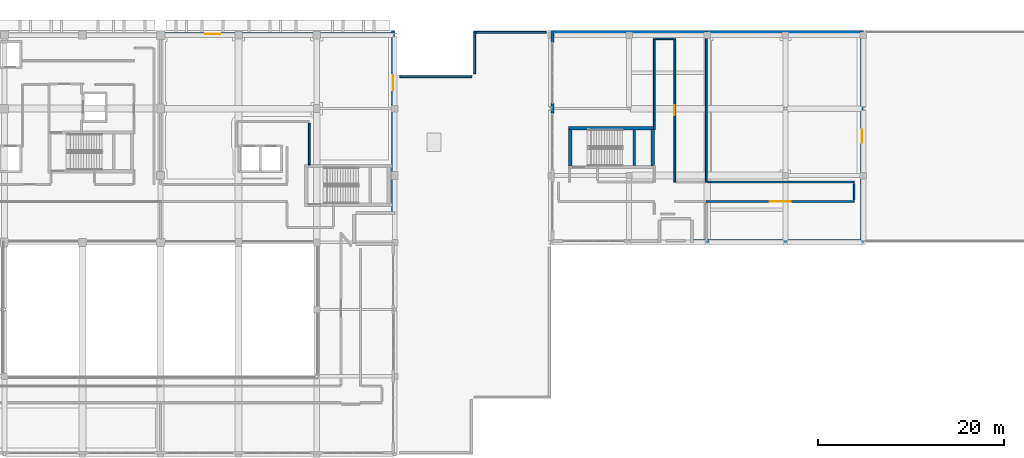
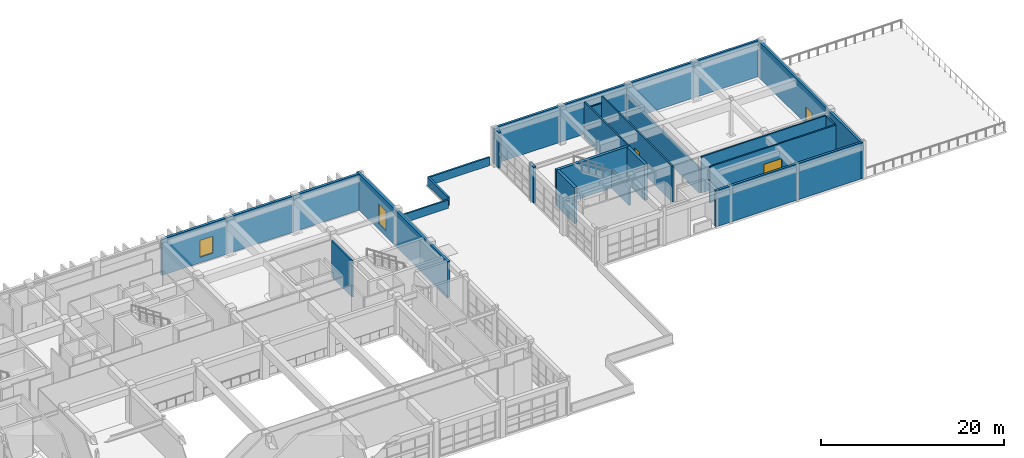
# One storey, part 66 of 78: 22 walls, 3 doors, 2 windows, 5 openings.
"""IFC4 building model written with IfcOpenShell, lengths in metres."""

from ifc_helpers import new_model, si_unit, direction, frame, frame_2d, origin, place, context, subcontext, project, spatial, rectangle, extrude, material, layer, layer_set, type_object, element, fill, save


model = new_model("IFC4")

# Units and contexts
model_context = context("Model", 3, precision=1e-05, world=origin(), true_north=direction((0.0, 1.0)))
body_context = subcontext(model_context, "Body", "Model", "MODEL_VIEW")
ifc_project = project(units=[si_unit("LENGTHUNIT", "METRE"), si_unit("AREAUNIT", "SQUARE_METRE"), si_unit("VOLUMEUNIT", "CUBIC_METRE"), si_unit("PLANEANGLEUNIT", "RADIAN"), si_unit("MASSUNIT", "GRAM", prefix="KILO")], contexts=[model_context])

# Site, building, storey
site_placement = place(None, origin())
site = spatial("IfcSite", under=ifc_project, at=site_placement, CompositionType="ELEMENT")
building_placement = place(site_placement, origin())
building = spatial("IfcBuilding", under=site, at=building_placement, Name="Quendrovan Civic Courthouse", CompositionType="ELEMENT")
storey_placement = place(building_placement, frame((0.0, 0.0, 10.199951171875)))
storey = spatial("IfcBuildingStorey", under=building, at=storey_placement, Name="L03", CompositionType="ELEMENT", Elevation=10.199951171875)

# Walls
ifc_material_1 = material(Name="Concrete C45/55", Category="concrete")
ifc_layer_1 = layer(ifc_material_1, 0.35009765625, Name="Concrete C45/55")
ifc_layer_set_1 = layer_set([ifc_layer_1], Name="Concrete C45/55")
wall_type_1 = type_object("IfcWallType", Name="WL-CORE-350", PredefinedType="SHEAR", material=ifc_layer_set_1)
wall_1_placement = place(storey_placement, frame((120.31005859375, 99.885009765625, 0.0), z_axis=(0.0, 0.0, 1.0), x_axis=(-1.0, 0.0, 0.0)))
element("IfcWall", 1, at=wall_1_placement, inside=storey, type_object=wall_type_1, Name="L03 Core Shear Wall ST6-N", PredefinedType="SHEAR", context=body_context, shape_type="SweptSolid", body=[
    extrude(rectangle(XDim=9.219970703125, YDim=0.35009765625, at=frame_2d((4.60986328125, 0.0))), origin(), (0.0, 0.0, 1.0), 4.820068359375),
])
for number, where, z_axis, x_axis, name in (
    (2, (111.264892578125, 95.85009765625, 0.0), (0.0, 0.0, 1.0), (0.0, 1.0, 0.0), "L03 Core Shear Wall ST6-W"),
    (3, (120.135009765625, 99.75, 0.0), (0.0, 0.0, 1.0), (0.0, -1.0, 0.0), "L03 Core Shear Wall ST6-E"),
):
    element("IfcWall", number, at=place(storey_placement, frame(where, z_axis=z_axis, x_axis=x_axis)), inside=storey, type_object=wall_type_1, Name=name, PredefinedType="SHEAR", context=body_context, shape_type="SweptSolid", body=[
        extrude(rectangle(XDim=3.89990234375, YDim=0.35009765625, at=frame_2d((1.949951171875, 0.0))), origin(), (0.0, 0.0, 1.0), 4.820068359375),
    ])
ifc_material_2 = material(Name="Acoustic gypsum and mineral wool partition")
ifc_layer_2 = layer(ifc_material_2, 0.179931640625, Name="Acoustic gypsum and mineral wool partition")
ifc_layer_set_2 = layer_set([ifc_layer_2], Name="Acoustic gypsum and mineral wool partition")
wall_type_2 = type_object("IfcWallType", Name="WL-CRT-AC180", PredefinedType="PARTITIONING", material=ifc_layer_set_2)
wall_2_placement = place(storey_placement, frame((125.89990234375, 110.340087890625, 0.0), z_axis=(0.0, 0.0, 1.0), x_axis=(0.0, -1.0, 0.0)))
element("IfcWall", 4, at=wall_2_placement, inside=storey, type_object=wall_type_2, Name="L03 Witness Waiting Room Partition 0437", PredefinedType="PARTITIONING", context=body_context, shape_type="SweptSolid", body=[
    extrude(rectangle(XDim=16.239990234375, YDim=0.179931640625, at=frame_2d((8.1201171875, 0.0))), origin(), (0.0, 0.0, 1.0), 3.449951171875),
])

# Wall, opening, door
wall_3_placement = place(storey_placement, frame((125.89990234375, 92.0, 0.0), z_axis=(0.0, 0.0, 1.0), x_axis=(1.0, 0.0, 0.0)))
wall_3 = element("IfcWall", 5, at=wall_3_placement, inside=storey, type_object=wall_type_2, Name="L03 Ceremonial Plenary Courtroom Partition 0438", PredefinedType="PARTITIONING", context=body_context, shape_type="SweptSolid", body=[
    extrude(rectangle(XDim=15.900146484375, YDim=0.179931640625, at=frame_2d((7.9501953125, 0.0))), origin(), (0.0, 0.0, 1.0), 4.820068359375),
])
opening_1_placement = place(wall_3_placement, frame((6.81005859375, 0.0, 0.0)))
opening_1 = element("IfcOpeningElement", 6, at=opening_1_placement, cuts=wall_3, Name="Opening D-L03-072", PredefinedType="OPENING", context=body_context, shape_type="SweptSolid", body=[
    extrude(rectangle(XDim=2.280029296875, YDim=2.75, at=frame_2d((1.14013671875, 1.375))), frame((0.0, 0.10009765625, 0.0), z_axis=(0.0, -1.0, 0.0), x_axis=(1.0, 0.0, 0.0)), (0.0, 0.0, 1.0), 0.199951171875),
])
ifc_material_3 = material(Name="Bronze-framed acoustic timber ceremonial door", Category="wood")
door_type_1 = type_object("IfcDoorType", Name="DR-CER-DBL2280", OperationType="NOTDEFINED", PredefinedType="DOOR", material=ifc_material_3)
door_1_placement = place(opening_1_placement, origin())
door_1 = element("IfcDoor", 7, at=door_1_placement, inside=storey, type_object=door_type_1, Name="L03 Ceremonial Plenary Courtroom Door D-L03-072", OperationType="SINGLE_SWING_LEFT", OverallHeight=2.75, OverallWidth=2.280029296875, PredefinedType="DOOR", context=body_context, shape_type="SweptSolid", body=[
    extrude(rectangle(XDim=2.280029296875, YDim=2.75, at=frame_2d((1.14013671875, 1.375))), frame((0.0, 0.02490234375, 0.0), z_axis=(0.0, -1.0, 0.0), x_axis=(1.0, 0.0, 0.0)), (0.0, 0.0, 1.0), 0.050048828125),
])
fill(opening_1, door_1)

# Wall
wall_4_placement = place(storey_placement, frame((141.800048828125, 94.10009765625, 0.0), z_axis=(0.0, 0.0, 1.0), x_axis=(-1.0, 0.0, 0.0)))
element("IfcWall", 8, at=wall_4_placement, inside=storey, type_object=wall_type_2, Name="L03 Ceremonial Plenary Courtroom Partition 0439", PredefinedType="PARTITIONING", context=body_context, shape_type="SweptSolid", body=[
    extrude(rectangle(XDim=15.72998046875, YDim=0.179931640625, at=frame_2d((7.864990234375, 0.0))), origin(), (0.0, 0.0, 1.0), 4.820068359375),
])

# Wall, opening, door
wall_5_placement = place(storey_placement, frame((122.5, 94.10009765625, 0.0), z_axis=(0.0, 0.0, 1.0), x_axis=(0.0, 1.0, 0.0)))
wall_5 = element("IfcWall", 9, at=wall_5_placement, inside=storey, type_object=wall_type_2, Name="L03 Witness Waiting Room Partition 0441", PredefinedType="PARTITIONING", context=body_context, shape_type="SweptSolid", body=[
    extrude(rectangle(XDim=15.39990234375, YDim=0.179931640625, at=frame_2d((7.699951171875, 0.0))), origin(), (0.0, 0.0, 1.0), 4.820068359375),
])
opening_2_placement = place(wall_5_placement, frame((7.159912109375, 0.0, 0.0)))
opening_2 = element("IfcOpeningElement", 10, at=opening_2_placement, cuts=wall_5, Name="Opening D-L03-071", PredefinedType="OPENING", context=body_context, shape_type="SweptSolid", body=[
    extrude(rectangle(XDim=1.080078125, YDim=2.280029296875, at=frame_2d((0.5400390625, 1.14013671875))), frame((0.0, 0.10009765625, 0.0), z_axis=(0.0, -1.0, 0.0), x_axis=(1.0, 0.0, 0.0)), (0.0, 0.0, 1.0), 0.199951171875),
])
ifc_material_4 = material(Name="Acoustic solid timber door", Category="wood")
door_type_2 = type_object("IfcDoorType", Name="DR-JURY-1080", OperationType="NOTDEFINED", PredefinedType="DOOR", material=ifc_material_4)
door_2_placement = place(opening_2_placement, origin())
door_2 = element("IfcDoor", 11, at=door_2_placement, inside=storey, type_object=door_type_2, Name="L03 Witness Waiting Room Door D-L03-071", OperationType="SINGLE_SWING_RIGHT", OverallHeight=2.280029296875, OverallWidth=1.080078125, PredefinedType="DOOR", context=body_context, shape_type="SweptSolid", body=[
    extrude(rectangle(XDim=1.080078125, YDim=2.280029296875, at=frame_2d((0.5400390625, 1.14013671875))), frame((0.0, 0.02490234375, 0.0), z_axis=(0.0, -1.0, 0.0), x_axis=(1.0, 0.0, 0.0)), (0.0, 0.0, 1.0), 0.050048828125),
])
fill(opening_2, door_2)

# Walls
wall_6_placement = place(storey_placement, frame((120.300048828125, 109.5, 0.0), z_axis=(0.0, 0.0, 1.0), x_axis=(0.0, -1.0, 0.0)))
element("IfcWall", 12, at=wall_6_placement, inside=storey, type_object=wall_type_2, Name="L03 Witness Waiting Room Partition 0442", PredefinedType="PARTITIONING", context=body_context, shape_type="SweptSolid", body=[
    extrude(rectangle(XDim=9.75, YDim=0.179931640625, at=frame_2d((4.875, 0.0))), origin(), (0.0, 0.0, 1.0), 4.820068359375),
])
wall_7_placement = place(storey_placement, frame((83.199951171875, 95.919921875, 0.0), z_axis=(0.0, 0.0, 1.0), x_axis=(0.0, 1.0, 0.0)))
element("IfcWall", 13, at=wall_7_placement, inside=storey, type_object=wall_type_2, Name="L03 Civil Courtroom Partition 0482", PredefinedType="PARTITIONING", context=body_context, shape_type="SweptSolid", body=[
    extrude(rectangle(XDim=4.510009765625, YDim=0.179931640625, at=frame_2d((2.2548828125, 0.0))), origin(), (0.0, 0.0, 1.0), 4.820068359375),
])
wall_8_placement = place(storey_placement, frame((122.330078125, 109.5, 0.0), z_axis=(0.0, 0.0, 1.0), x_axis=(-1.0, 0.0, 0.0)))
element("IfcWall", 14, at=wall_8_placement, inside=storey, type_object=wall_type_2, Name="L03 Witness Waiting Room Partition 0517", PredefinedType="PARTITIONING", context=body_context, shape_type="SweptSolid", body=[
    extrude(rectangle(XDim=1.860107421875, YDim=0.179931640625, at=frame_2d((0.93017578125, 0.0))), origin(), (0.0, 0.0, 1.0), 3.900146484375),
])
wall_9_placement = place(storey_placement, frame((141.800048828125, 92.169921875, 0.0), z_axis=(0.0, 0.0, 1.0), x_axis=(0.0, 1.0, 0.0)))
element("IfcWall", 15, at=wall_9_placement, inside=storey, type_object=wall_type_2, Name="L03 Ceremonial Plenary Courtroom Partition 0525", PredefinedType="PARTITIONING", context=body_context, shape_type="SweptSolid", body=[
    extrude(rectangle(XDim=1.760009765625, YDim=0.179931640625, at=frame_2d((0.8798828125, 0.0))), origin(), (0.0, 0.0, 1.0), 4.820068359375),
])
ifc_material_5 = material(Name="Precast concrete C45/55", Category="concrete")
ifc_layer_3 = layer(ifc_material_5, 0.2900390625, Name="Precast concrete C45/55")
ifc_layer_set_3 = layer_set([ifc_layer_3], Name="Precast concrete C45/55")
wall_type_3 = type_object("IfcWallType", Name="WL-EXT-PC290", PredefinedType="SOLIDWALL", material=ifc_layer_set_3)
wall_10_placement = place(storey_placement, frame((142.800048828125, 87.764892578125, 0.0), z_axis=(0.0, 0.0, 1.0), x_axis=(-1.0, 0.0, 0.0)))
element("IfcWall", 16, at=wall_10_placement, inside=storey, type_object=wall_type_3, Name="L03 Exterior Civic Portal Wall 314", PredefinedType="SOLIDWALL", context=body_context, shape_type="SweptSolid", body=[
    extrude(rectangle(XDim=18.60009765625, YDim=0.2900390625, at=frame_2d((9.300048828125, 0.0))), origin(), (0.0, 0.0, 1.0), 4.820068359375),
])
wall_11_placement = place(storey_placement, frame((109.364990234375, 101.462890625, 0.0), z_axis=(0.0, 0.0, 1.0), x_axis=(0.0, 1.0, 0.0)))
element("IfcWall", 17, at=wall_11_placement, inside=storey, type_object=wall_type_3, Name="L03 Exterior Pier Wall 322", PredefinedType="SOLIDWALL", context=body_context, shape_type="SweptSolid", body=[
    extrude(rectangle(XDim=1.07421875, YDim=0.2900390625, at=frame_2d((0.537109375, 0.0))), origin(), (0.0, 0.0, 1.0), 4.820068359375),
])
wall_12_placement = place(storey_placement, frame((109.364990234375, 109.10009765625, 0.0), z_axis=(0.0, 0.0, 1.0), x_axis=(0.0, 1.0, 0.0)))
element("IfcWall", 18, at=wall_12_placement, inside=storey, type_object=wall_type_3, Name="L03 Exterior Pier Wall 323", PredefinedType="SOLIDWALL", context=body_context, shape_type="SweptSolid", body=[
    extrude(rectangle(XDim=1.2998046875, YDim=0.2900390625, at=frame_2d((0.64990234375, 0.0))), origin(), (0.0, 0.0, 1.0), 4.820068359375),
])
wall_13_placement = place(storey_placement, frame((109.199951171875, 110.235107421875, 0.0), z_axis=(0.0, 0.0, 1.0), x_axis=(1.0, 0.0, 0.0)))
element("IfcWall", 19, at=wall_13_placement, inside=storey, type_object=wall_type_3, Name="L03 Exterior Civic Portal Wall 324", PredefinedType="SOLIDWALL", context=body_context, shape_type="SweptSolid", body=[
    extrude(rectangle(XDim=33.60009765625, YDim=0.2900390625, at=frame_2d((16.800048828125, 0.0))), origin(), (0.0, 0.0, 1.0), 4.820068359375),
])

# Wall, opening, door
wall_14_placement = place(storey_placement, frame((142.635009765625, 110.39990234375, 0.0), z_axis=(0.0, 0.0, 1.0), x_axis=(0.0, -1.0, 0.0)))
wall_14 = element("IfcWall", 20, at=wall_14_placement, inside=storey, type_object=wall_type_3, Name="L03 Exterior Civic Portal Wall 325", PredefinedType="SOLIDWALL", context=body_context, shape_type="SweptSolid", body=[
    extrude(rectangle(XDim=22.7998046875, YDim=0.2900390625, at=frame_2d((11.39990234375, 0.0))), origin(), (0.0, 0.0, 1.0), 4.820068359375),
])
opening_3_placement = place(wall_14_placement, frame((10.701171875, 0.0, 0.0)))
opening_3 = element("IfcOpeningElement", 21, at=opening_3_placement, cuts=wall_14, Name="Opening DT-L03-2", PredefinedType="OPENING", context=body_context, shape_type="SweptSolid", body=[
    extrude(rectangle(XDim=1.39990234375, YDim=2.300048828125, at=frame_2d((0.699951171875, 1.14990234375))), frame((0.0, 0.155029296875, 0.0), z_axis=(0.0, -1.0, 0.0), x_axis=(1.0, 0.0, 0.0)), (0.0, 0.0, 1.0), 0.31005859375),
])
ifc_material_6 = material(Name="Bronze anodised aluminium and low-E glass", Category="aluminium")
door_type_3 = type_object("IfcDoorType", Name="DR-TER-1400", OperationType="NOTDEFINED", PredefinedType="DOOR", material=ifc_material_6)
door_3_placement = place(opening_3_placement, origin())
door_3 = element("IfcDoor", 22, at=door_3_placement, inside=storey, type_object=door_type_3, Name="L03 Judicial Terrace Door DT-L03-2", OperationType="SINGLE_SWING_LEFT", OverallHeight=2.300048828125, OverallWidth=1.39990234375, PredefinedType="DOOR", context=body_context, shape_type="SweptSolid", body=[
    extrude(rectangle(XDim=1.39990234375, YDim=2.300048828125, at=frame_2d((0.699951171875, 1.14990234375))), frame((0.0, 0.02490234375, 0.0), z_axis=(0.0, -1.0, 0.0), x_axis=(1.0, 0.0, 0.0)), (0.0, 0.0, 1.0), 0.050048828125),
])
fill(opening_3, door_3)

# Wall, opening, window
ifc_layer_4 = layer(ifc_material_5, 0.320068359375, Name="Precast concrete C45/55")
ifc_layer_set_4 = layer_set([ifc_layer_4], Name="Precast concrete C45/55")
wall_type_4 = type_object("IfcWallType", Name="WL-EXT-PC320", PredefinedType="SOLIDWALL", material=ifc_layer_set_4)
wall_15_placement = place(storey_placement, frame((67.199951171875, 110.02001953125, 0.0), z_axis=(0.0, 0.0, 1.0), x_axis=(1.0, 0.0, 0.0)))
wall_15 = element("IfcWall", 23, at=wall_15_placement, inside=storey, type_object=wall_type_4, Name="L03 Exterior Precast Concrete Wall 288", PredefinedType="SOLIDWALL", context=body_context, shape_type="SweptSolid", body=[
    extrude(rectangle(XDim=25.199951171875, YDim=0.320068359375, at=frame_2d((12.60009765625, 0.0))), origin(), (0.0, 0.0, 1.0), 4.820068359375),
])
opening_4_placement = place(wall_15_placement, frame((4.7900390625, 0.0, 0.75)))
opening_4 = element("IfcOpeningElement", 24, at=opening_4_placement, cuts=wall_15, Name="Opening W32", PredefinedType="OPENING", context=body_context, shape_type="SweptSolid", body=[
    extrude(rectangle(XDim=1.6201171875, YDim=2.25, at=frame_2d((0.81005859375, 1.125))), frame((0.0, 0.169921875, 0.0), z_axis=(0.0, -1.0, 0.0), x_axis=(1.0, 0.0, 0.0)), (0.0, 0.0, 1.0), 0.340087890625),
])
ifc_material_7 = material(Name="Laminated hurricane-impact low-E glass", Category="glass")
window_type_1 = type_object("IfcWindowType", Name="WIN-SLT-32", PartitioningType="SINGLE_PANEL", PredefinedType="WINDOW", material=ifc_material_7)
window_1_placement = place(opening_4_placement, origin())
window_1 = element("IfcWindow", 25, at=window_1_placement, inside=storey, type_object=window_type_1, Name="L03 Courtroom Shaded Slot Window 0017", OverallHeight=2.25, OverallWidth=1.6201171875, PartitioningType="SINGLE_PANEL", PredefinedType="WINDOW", context=body_context, shape_type="SweptSolid", body=[
    extrude(rectangle(XDim=1.6201171875, YDim=2.25, at=frame_2d((0.81005859375, 1.125))), frame((0.0, 0.030029296875, 0.0), z_axis=(0.0, -1.0, 0.0), x_axis=(1.0, 0.0, 0.0)), (0.0, 0.0, 1.0), 0.06005859375),
])
fill(opening_4, window_1)

wall_16_placement = place(storey_placement, frame((92.219970703125, 110.39990234375, 0.0), z_axis=(0.0, 0.0, 1.0), x_axis=(0.0, -1.0, 0.0)))
wall_16 = element("IfcWall", 26, at=wall_16_placement, inside=storey, type_object=wall_type_4, Name="L03 Exterior Precast Concrete Wall 289", PredefinedType="SOLIDWALL", context=body_context, shape_type="SweptSolid", body=[
    extrude(rectangle(XDim=19.7998046875, YDim=0.320068359375, at=frame_2d((9.89990234375, 0.0))), origin(), (0.0, 0.0, 1.0), 4.820068359375),
])
opening_5_placement = place(wall_16_placement, frame((4.7900390625, 0.0, 0.75)))
opening_5 = element("IfcOpeningElement", 27, at=opening_5_placement, cuts=wall_16, Name="Opening W33", PredefinedType="OPENING", context=body_context, shape_type="SweptSolid", body=[
    extrude(rectangle(XDim=1.6201171875, YDim=2.64990234375, at=frame_2d((0.81005859375, 1.324951171875))), frame((0.0, 0.169921875, 0.0), z_axis=(0.0, -1.0, 0.0), x_axis=(1.0, 0.0, 0.0)), (0.0, 0.0, 1.0), 0.340087890625),
])
window_type_2 = type_object("IfcWindowType", Name="WIN-SLT-33", PartitioningType="SINGLE_PANEL", PredefinedType="WINDOW", material=ifc_material_7)
window_2_placement = place(opening_5_placement, origin())
window_2 = element("IfcWindow", 28, at=window_2_placement, inside=storey, type_object=window_type_2, Name="L03 Courtroom Shaded Slot Window 0018", OverallHeight=2.64990234375, OverallWidth=1.6201171875, PartitioningType="SINGLE_PANEL", PredefinedType="WINDOW", context=body_context, shape_type="SweptSolid", body=[
    extrude(rectangle(XDim=1.6201171875, YDim=2.64990234375, at=frame_2d((0.81005859375, 1.324951171875))), frame((0.0, 0.030029296875, 0.0), z_axis=(0.0, -1.0, 0.0), x_axis=(1.0, 0.0, 0.0)), (0.0, 0.0, 1.0), 0.06005859375),
])
fill(opening_5, window_2)

# Walls
ifc_layer_5 = layer(ifc_material_5, 0.2099609375, Name="Precast concrete C45/55")
ifc_layer_set_5 = layer_set([ifc_layer_5], Name="Precast concrete C45/55")
wall_type_5 = type_object("IfcWallType", Name="WL-PARAPET-210", PredefinedType="PARAPET", material=ifc_layer_set_5)
wall_17_placement = place(storey_placement, frame((100.97998046875, 105.719970703125, 0.0), z_axis=(0.0, 0.0, 1.0), x_axis=(0.0, 1.0, 0.0)))
element("IfcWall", 29, at=wall_17_placement, inside=storey, type_object=wall_type_5, Name="L03 Precast Roof Parapet Wall 31", PredefinedType="PARAPET", context=body_context, shape_type="SweptSolid", body=[
    extrude(rectangle(XDim=4.47998046875, YDim=0.2099609375, at=frame_2d((2.239990234375, 0.0))), origin(), (0.0, 0.0, 1.0), 1.1201171875),
])
for number, where, z_axis, x_axis, name in (
    (30, (100.919921875, 110.199951171875, 0.0), (0.0, 0.0, 1.0), (1.0, 0.0, 0.0), "L03 Precast Roof Parapet Wall 32"),
    (31, (92.93994140625, 105.419921875, 0.0), (0.0, 0.0, 1.0), (1.0, 0.0, 0.0), "L03 Precast Roof Parapet Wall 37"),
):
    element("IfcWall", number, at=place(storey_placement, frame(where, z_axis=z_axis, x_axis=x_axis)), inside=storey, type_object=wall_type_5, Name=name, PredefinedType="PARAPET", context=body_context, shape_type="SweptSolid", body=[
        extrude(rectangle(XDim=7.739990234375, YDim=0.2099609375, at=frame_2d((3.8701171875, 0.0))), origin(), (0.0, 0.0, 1.0), 1.1201171875),
    ])
ifc_layer_6 = layer(ifc_material_1, 0.25, Name="Concrete C45/55")
ifc_layer_set_6 = layer_set([ifc_layer_6], Name="Concrete C45/55")
wall_type_6 = type_object("IfcWallType", Name="WL-SHAFT-250", PredefinedType="SHEAR", material=ifc_layer_set_6)
wall_18_placement = place(storey_placement, frame((118.14990234375, 95.89990234375, 0.0), z_axis=(0.0, 0.0, 1.0), x_axis=(0.0, 1.0, 0.0)))
element("IfcWall", 32, at=wall_18_placement, inside=storey, type_object=wall_type_6, Name="L03 Stair ST6 Mid-Landing Bearing Wall", PredefinedType="SHEAR", context=body_context, shape_type="SweptSolid", body=[
    extrude(rectangle(XDim=3.800048828125, YDim=0.25, at=frame_2d((1.89990234375, 0.0))), origin(), (0.0, 0.0, 1.0), 2.3701171875),
])

save(model, "model.ifc")
